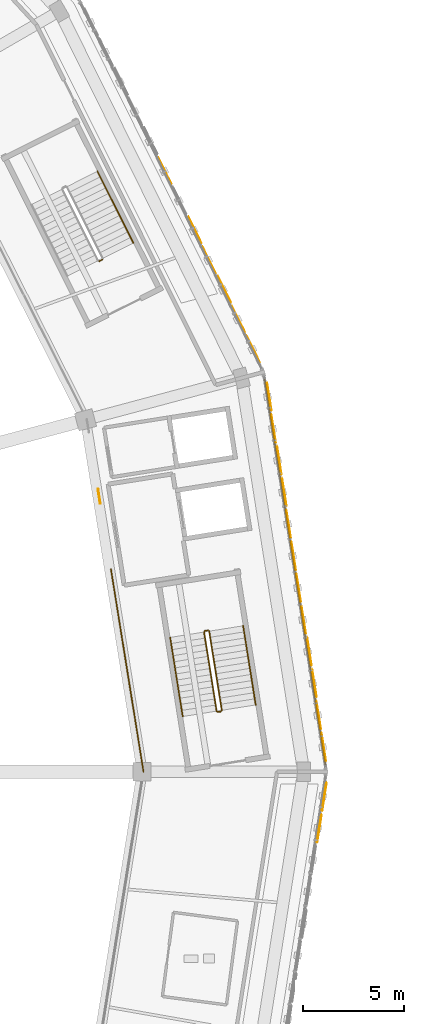
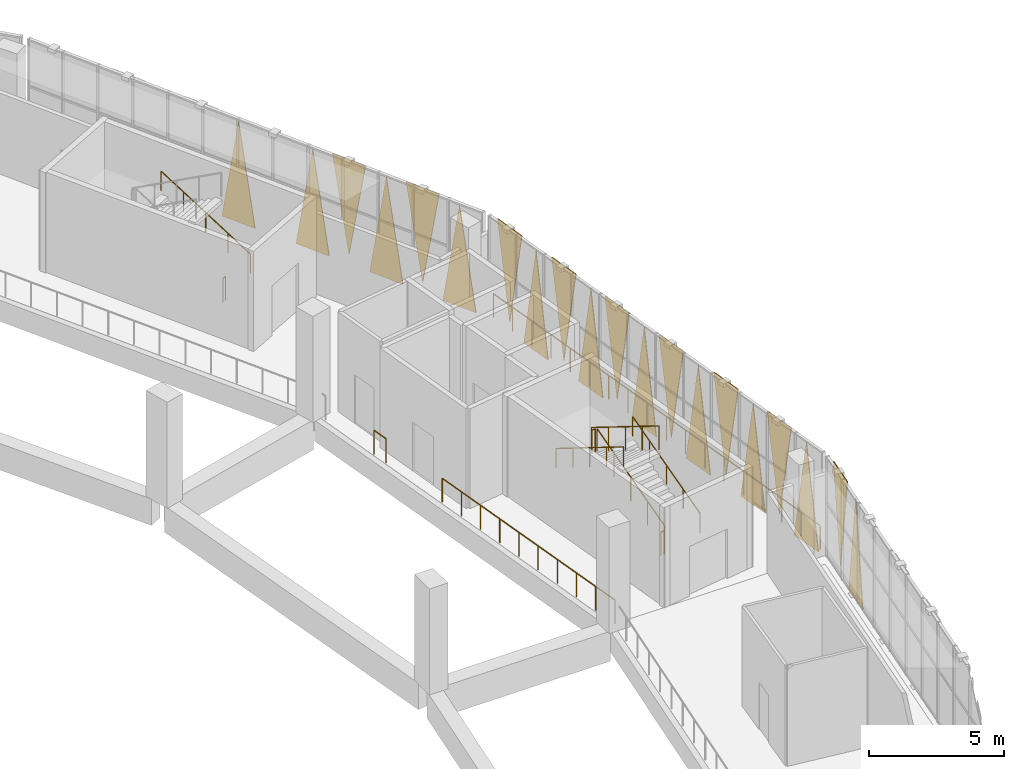
# One storey, part 96 of 108: 20 coverings, 11 railings.
"""IFC4 building model written with IfcOpenShell, lengths in metres."""

from ifc_helpers import new_model, si_unit, direction, frame, origin, origin_2d, place, context, subcontext, project, spatial, polyline, circle, outline, extrude, material, layer, layer_set, type_object, element, save


model = new_model("IFC4")

# Units and contexts
model_context = context("Model", 3, precision=1e-05, world=origin(), true_north=direction((0.0, 1.0)))
body_context = subcontext(model_context, "Body", "Model", "MODEL_VIEW")
ifc_project = project(units=[si_unit("LENGTHUNIT", "METRE"), si_unit("AREAUNIT", "SQUARE_METRE"), si_unit("VOLUMEUNIT", "CUBIC_METRE"), si_unit("PLANEANGLEUNIT", "RADIAN"), si_unit("MASSUNIT", "GRAM", prefix="KILO")], contexts=[model_context])

# Site, building, storey
site_placement = place(None, origin())
site = spatial("IfcSite", under=ifc_project, at=site_placement, CompositionType="ELEMENT")
building_placement = place(site_placement, origin())
building = spatial("IfcBuilding", under=site, at=building_placement, Name="Zevraka Park Crest Stadium", CompositionType="ELEMENT")
storey_placement = place(building_placement, frame((0.0, 0.0, 19.800048828125)))
storey = spatial("IfcBuildingStorey", under=building, at=storey_placement, Name="L04", CompositionType="ELEMENT", Elevation=19.800048828125)

# Coverings
ifc_material_1 = material(Name="Architectural golden-bronze perforated aluminium", Category="aluminium")
ifc_layer = layer(ifc_material_1, 0.034912109375)
ifc_layer_set = layer_set([ifc_layer], Name="Architectural golden-bronze perforated aluminium")
covering_type = type_object("IfcCoveringType", Name="CLD01", PredefinedType="CLADDING", material=ifc_layer_set)
covering_1_placement = place(storey_placement, frame((203.41796875, 92.52392578125, -0.219970703125), z_axis=(0.987747781169, 0.156058703538, 4.2965579e-05), x_axis=(-0.156058703682, 0.987747782081, 0.0)))
element("IfcCovering", 1, at=covering_1_placement, inside=storey, type_object=covering_type, Name="Triangular Golden-Bronze Perforated Cladding L04-00-1", PredefinedType="CLADDING", context=body_context, shape_type="SweptSolid", body=[
    extrude(outline(polyline([(0.0, 0.0), (1.4345688375175898, 0.0), (0.7168211701718025, 4.579833988602281), (0.0, 0.0)])), origin(), (0.0, 0.0, -1.0), 0.034912109375),
])
covering_2_placement = place(storey_placement, frame((202.946044921875, 95.51708984375, 4.52001953125), z_axis=(0.987868916505, 0.155290000132, 0.000140218719), x_axis=(0.155290001659, -0.987868926217, 0.0)))
element("IfcCovering", 2, at=covering_2_placement, inside=storey, type_object=covering_type, Name="Triangular Golden-Bronze Perforated Cladding L04-00-2", PredefinedType="CLADDING", context=body_context, shape_type="SweptSolid", body=[
    extrude(outline(polyline([(0.0, 0.0), (1.4353814685014366, 0.0), (0.7177855157458715, 4.300048870397252), (0.0, 0.0)])), origin(), (0.0, 0.0, -1.0), 0.034912109375),
])
covering_3_placement = place(storey_placement, frame((202.9208984375, 95.675048828125, -0.219970703125), z_axis=(-0.987868917656, -0.155290000313, 0.000131652662), x_axis=(-0.155290001659, 0.987868926217, 0.0)))
element("IfcCovering", 3, at=covering_3_placement, inside=storey, type_object=covering_type, Name="Triangular Golden-Bronze Perforated Cladding L04-00-3", PredefinedType="CLADDING", context=body_context, shape_type="SweptSolid", body=[
    extrude(outline(polyline([(0.0, 0.0), (1.4353814685014366, -3.3881317890172014e-21), (0.717595952755565, -4.579834024064811), (0.0, 0.0)])), origin(), (0.0, 0.0, -1.0), 0.034912109375),
])
covering_4_placement = place(storey_placement, frame((202.449951171875, 98.6689453125, 4.52001953125), z_axis=(-0.987842814257, -0.155455980067, 0.000112172011), x_axis=(0.155455981045, -0.987842820472, 0.0)))
element("IfcCovering", 4, at=covering_4_placement, inside=storey, type_object=covering_type, Name="Triangular Golden-Bronze Perforated Cladding L04-00-4", PredefinedType="CLADDING", context=body_context, shape_type="SweptSolid", body=[
    extrude(outline(polyline([(0.0, 0.0), (1.435419401360921, -3.3881317890172014e-21), (0.7176337944397156, -4.3000488551778115), (0.0, 0.0)])), origin(), (0.0, 0.0, -1.0), 0.034912109375),
])
covering_5_placement = place(storey_placement, frame((202.425048828125, 98.826904296875, -0.219970703125), z_axis=(0.987846923842, 0.155429865449, 0.000109462593), x_axis=(-0.15542986638, 0.98784692976, 0.0)))
element("IfcCovering", 5, at=covering_5_placement, inside=storey, type_object=covering_type, Name="Triangular Golden-Bronze Perforated Cladding L04-00-5", PredefinedType="CLADDING", context=body_context, shape_type="SweptSolid", body=[
    extrude(outline(polyline([(0.0, 0.0), (1.435660574426177, 3.3881317890172014e-21), (0.7177855939191139, 4.579834011812922), (0.0, 0.0)])), origin(), (0.0, 0.0, -1.0), 0.034912109375),
])
covering_6_placement = place(storey_placement, frame((201.952880859375, 101.821044921875, 4.52001953125), z_axis=(0.987738132508, 0.156119766812, 0.0), x_axis=(0.156119766812, -0.987738132508, 0.0)))
element("IfcCovering", 6, at=covering_6_placement, inside=storey, type_object=covering_type, Name="Triangular Golden-Bronze Perforated Cladding L04-00-6", PredefinedType="CLADDING", context=body_context, shape_type="SweptSolid", body=[
    extrude(outline(polyline([(0.0, 0.0), (1.4355715379737295, 0.0), (0.7177857689868647, 4.300048828125), (0.0, 0.0)])), origin(), (0.0, 0.0, -1.0), 0.034912109375),
])
covering_7_placement = place(storey_placement, frame((201.928955078125, 101.97900390625, -0.219970703125), z_axis=(0.987764343891, 0.155953840108, 2.6327745e-05), x_axis=(-0.155953840162, 0.987764344233, 0.0)))
element("IfcCovering", 7, at=covering_7_placement, inside=storey, type_object=covering_type, Name="Triangular Golden-Bronze Perforated Cladding L04-00-7", PredefinedType="CLADDING", context=body_context, shape_type="SweptSolid", body=[
    extrude(outline(polyline([(0.0, 0.0), (1.4355334430507345, 0.0), (0.7177857588593715, 4.579833985962257), (0.0, 0.0)])), origin(), (0.0, 0.0, -1.0), 0.034912109375),
])
covering_8_placement = place(storey_placement, frame((201.45703125, 104.972900390625, 4.52001953125), z_axis=(0.987868916505, 0.155290000132, 0.000140218719), x_axis=(0.155290001659, -0.987868926217, 0.0)))
element("IfcCovering", 8, at=covering_8_placement, inside=storey, type_object=covering_type, Name="Triangular Golden-Bronze Perforated Cladding L04-00-8", PredefinedType="CLADDING", context=body_context, shape_type="SweptSolid", body=[
    extrude(outline(polyline([(0.0, 0.0), (1.4353814685014366, 0.0), (0.7177855157458715, 4.300048870397252), (0.0, 0.0)])), origin(), (0.0, 0.0, -1.0), 0.034912109375),
])
covering_9_placement = place(storey_placement, frame((201.431884765625, 105.131103515625, -0.219970703125), z_axis=(-0.987868917656, -0.155290000313, 0.000131652662), x_axis=(-0.155290001659, 0.987868926217, 0.0)))
element("IfcCovering", 9, at=covering_9_placement, inside=storey, type_object=covering_type, Name="Triangular Golden-Bronze Perforated Cladding L04-00-9", PredefinedType="CLADDING", context=body_context, shape_type="SweptSolid", body=[
    extrude(outline(polyline([(0.0, 0.0), (1.4353814685014366, -3.3881317890172014e-21), (0.717595952755565, -4.579834024064811), (0.0, 0.0)])), origin(), (0.0, 0.0, -1.0), 0.034912109375),
])
covering_10_placement = place(storey_placement, frame((200.9609375, 108.125, 4.52001953125), z_axis=(-0.987842814257, -0.155455980067, 0.000112172011), x_axis=(0.155455981045, -0.987842820472, 0.0)))
element("IfcCovering", 10, at=covering_10_placement, inside=storey, type_object=covering_type, Name="Triangular Golden-Bronze Perforated Cladding L04-00-10", PredefinedType="CLADDING", context=body_context, shape_type="SweptSolid", body=[
    extrude(outline(polyline([(0.0, 0.0), (1.435419401360921, -3.3881317890172014e-21), (0.7176337944397156, -4.3000488551778115), (0.0, 0.0)])), origin(), (0.0, 0.0, -1.0), 0.034912109375),
])
covering_11_placement = place(storey_placement, frame((200.93603515625, 108.282958984375, -0.219970703125), z_axis=(0.987842814993, 0.155455980183, 0.000105319347), x_axis=(-0.155455981045, 0.987842820472, 0.0)))
element("IfcCovering", 11, at=covering_11_placement, inside=storey, type_object=covering_type, Name="Triangular Golden-Bronze Perforated Cladding L04-00-11", PredefinedType="CLADDING", context=body_context, shape_type="SweptSolid", body=[
    extrude(outline(polyline([(0.0, 0.0), (1.435419401360921, 0.0), (0.7177856069212052, 4.579834009775138), (0.0, 0.0)])), origin(), (0.0, 0.0, -1.0), 0.034912109375),
])
covering_12_placement = place(storey_placement, frame((200.464111328125, 111.27587890625, 4.52001953125), z_axis=(-0.98774778208, -0.156058703681, 1.459023e-06), x_axis=(0.156058703682, -0.987747782081, 0.0)))
element("IfcCovering", 12, at=covering_12_placement, inside=storey, type_object=covering_type, Name="Triangular Golden-Bronze Perforated Cladding L04-00-12", PredefinedType="CLADDING", context=body_context, shape_type="SweptSolid", body=[
    extrude(outline(polyline([(0.0, 0.0), (1.4345688375175898, 0.0), (0.7165419205414895, -4.300048828129577), (0.0, 0.0)])), origin(), (0.0, 0.0, -1.0), 0.034912109375),
])
covering_13_placement = place(storey_placement, frame((200.14697265625, 112.27490234375, -0.219970703125), z_axis=(0.895938354409, 0.44417841522, 2.3476073e-05), x_axis=(-0.444178415342, 0.895938354656, 0.0)))
element("IfcCovering", 13, at=covering_13_placement, inside=storey, type_object=covering_type, Name="Triangular Golden-Bronze Perforated Cladding L04-01-1", PredefinedType="CLADDING", context=body_context, shape_type="SweptSolid", body=[
    extrude(outline(polyline([(0.0, 0.0), (1.4812943665181721, 0.0), (0.740155492361385, 4.579833985637032), (0.0, 0.0)])), origin(), (0.0, 0.0, -1.0), 0.034912109375),
])
covering_14_placement = place(storey_placement, frame((198.760986328125, 115.072021484375, 4.52001953125), z_axis=(0.896168164395, 0.443714541009, 0.000164991326), x_axis=(0.443714547049, -0.896168176593, 0.0)))
element("IfcCovering", 14, at=covering_14_placement, inside=storey, type_object=covering_type, Name="Triangular Golden-Bronze Perforated Cladding L04-01-2", PredefinedType="CLADDING", context=body_context, shape_type="SweptSolid", body=[
    extrude(outline(polyline([(0.0, 0.0), (1.480642061984624, -1.3552527156068805e-20), (0.7402636662712996, 4.300048886653262), (0.0, 0.0)])), origin(), (0.0, 0.0, -1.0), 0.034912109375),
])
covering_15_placement = place(storey_placement, frame((198.68994140625, 115.216064453125, -0.219970703125), z_axis=(-0.895775588199, -0.444506575252, 1.2028067e-05), x_axis=(-0.444506575285, 0.895775588264, 0.0)))
element("IfcCovering", 15, at=covering_15_placement, inside=storey, type_object=covering_type, Name="Triangular Golden-Bronze Perforated Cladding L04-01-3", PredefinedType="CLADDING", context=body_context, shape_type="SweptSolid", body=[
    extrude(outline(polyline([(0.0, 0.0), (1.4802007910768735, 0.0), (0.7399367868758943, -4.579833984706293), (0.0, 0.0)])), origin(), (0.0, 0.0, -1.0), 0.034912109375),
])
covering_16_placement = place(storey_placement, frame((197.303955078125, 118.012939453125, 4.52001953125), z_axis=(0.89616817301, 0.443714545275, 8.941399e-05), x_axis=(0.443714547049, -0.896168176593, 0.0)))
element("IfcCovering", 16, at=covering_16_placement, inside=storey, type_object=covering_type, Name="Triangular Golden-Bronze Perforated Cladding L04-01-4", PredefinedType="CLADDING", context=body_context, shape_type="SweptSolid", body=[
    extrude(outline(polyline([(0.0, 0.0), (1.480642061984624, 0.0), (0.7409200394475148, 4.300048845314149), (0.0, 0.0)])), origin(), (0.0, 0.0, -1.0), 0.034912109375),
])
covering_17_placement = place(storey_placement, frame((197.23291015625, 118.156005859375, -0.219970703125), z_axis=(-0.895905827127, -0.444244011796, 8.3083477e-05), x_axis=(-0.444244013329, 0.89590583022, 0.0)))
element("IfcCovering", 17, at=covering_17_placement, inside=storey, type_object=covering_type, Name="Triangular Golden-Bronze Perforated Cladding L04-01-5", PredefinedType="CLADDING", context=body_context, shape_type="SweptSolid", body=[
    extrude(outline(polyline([(0.0, 0.0), (1.4810756355382801, 0.0), (0.7410304062869342, -4.579834000181987), (0.0, 0.0)])), origin(), (0.0, 0.0, -1.0), 0.034912109375),
])
covering_18_placement = place(storey_placement, frame((195.77587890625, 121.096923828125, -0.219970703125), z_axis=(0.896200626704, 0.443648985736, 0.000118961507), x_axis=(-0.443648988875, 0.896200633045, 0.0)))
element("IfcCovering", 18, at=covering_18_placement, inside=storey, type_object=covering_type, Name="Triangular Golden-Bronze Perforated Cladding L04-01-7", PredefinedType="CLADDING", context=body_context, shape_type="SweptSolid", body=[
    extrude(outline(polyline([(0.0, 0.0), (1.4808608570056243, 0.0), (0.7401552996495949, 4.579834016781541), (0.0, 0.0)])), origin(), (0.0, 0.0, -1.0), 0.034912109375),
])
covering_19_placement = place(storey_placement, frame((202.946044921875, 88.48291015625, -0.219970703125), z_axis=(-0.987868917656, 0.155290000313, 0.000131652662), x_axis=(0.155290001659, 0.987868926217, 0.0)))
element("IfcCovering", 19, at=covering_19_placement, inside=storey, type_object=covering_type, Name="Triangular Golden-Bronze Perforated Cladding L04-23-11", PredefinedType="CLADDING", context=body_context, shape_type="SweptSolid", body=[
    extrude(outline(polyline([(0.0, 0.0), (1.4353814685014366, 3.3881317890172014e-21), (0.7177855157458715, -4.579834024064811), (0.0, 0.0)])), origin(), (0.0, 0.0, -1.0), 0.034912109375),
])
covering_20_placement = place(storey_placement, frame((203.41796875, 91.47607421875, 4.52001953125), z_axis=(-0.987747781046, 0.156058703518, 4.5761159e-05), x_axis=(-0.156058703682, -0.987747782081, 0.0)))
element("IfcCovering", 20, at=covering_20_placement, inside=storey, type_object=covering_type, Name="Triangular Golden-Bronze Perforated Cladding L04-23-12", PredefinedType="CLADDING", context=body_context, shape_type="SweptSolid", body=[
    extrude(outline(polyline([(0.0, 0.0), (1.4345688375175898, 0.0), (0.7168211701718025, -4.300048832627331), (0.0, 0.0)])), origin(), (0.0, 0.0, -1.0), 0.034912109375),
])

# Railings
ifc_material_2 = material(Name="Galvanised and bronze-finished steel balustrade", Category="steel")
railing_type_1 = type_object("IfcRailingType", Name="GR01", PredefinedType="GUARDRAIL", material=ifc_material_2)
railing_1_placement = place(storey_placement, frame((200.3720703125, 111.4140625, 0.0)))
element("IfcRailing", 21, at=railing_1_placement, inside=storey, type_object=railing_type_1, Name="Deck Edge Protection Guardrail GR01 L04-12", PredefinedType="GUARDRAIL", context=body_context, shape_type="SweptSolid", body=[
    extrude(circle(Radius=0.02392578125, at=origin_2d()), frame((0.0, 0.0, 1.076171875), z_axis=(0.155531632398, -0.987830912314, 0.0), x_axis=(0.987830912314, 0.155531632398, 0.0)), (0.0, 0.0, 1.0), 19.28857421875),
    extrude(circle(Radius=0.02099609375, at=origin_2d()), origin(), (0.0, 0.0, 1.0), 1.052001953125),
    extrude(circle(Radius=0.02099609375, at=origin_2d()), frame((0.176513671875, -1.120849609375, 0.0)), (0.0, 0.0, 1.0), 1.052001953125),
    extrude(circle(Radius=0.02099609375, at=origin_2d()), frame((0.35302734375, -2.24169921875, 0.0)), (0.0, 0.0, 1.0), 1.052001953125),
    extrude(circle(Radius=0.02099609375, at=origin_2d()), frame((0.529296875, -3.362548828125, 0.0)), (0.0, 0.0, 1.0), 1.052001953125),
    extrude(circle(Radius=0.02099609375, at=origin_2d()), frame((0.705810546875, -4.4833984375, 0.0)), (0.0, 0.0, 1.0), 1.052001953125),
    extrude(circle(Radius=0.02099609375, at=origin_2d()), frame((0.88232421875, -5.60400390625, 0.0)), (0.0, 0.0, 1.0), 1.052001953125),
    extrude(circle(Radius=0.02099609375, at=origin_2d()), frame((1.058837890625, -6.724853515625, 0.0)), (0.0, 0.0, 1.0), 1.052001953125),
    extrude(circle(Radius=0.02099609375, at=origin_2d()), frame((1.2353515625, -7.845703125, 0.0)), (0.0, 0.0, 1.0), 1.052001953125),
    extrude(circle(Radius=0.02099609375, at=origin_2d()), frame((1.411865234375, -8.966552734375, 0.0)), (0.0, 0.0, 1.0), 1.052001953125),
    extrude(circle(Radius=0.02099609375, at=origin_2d()), frame((1.588134765625, -10.08740234375, 0.0)), (0.0, 0.0, 1.0), 1.052001953125),
    extrude(circle(Radius=0.02099609375, at=origin_2d()), frame((1.7646484375, -11.208251953125, 0.0)), (0.0, 0.0, 1.0), 1.052001953125),
    extrude(circle(Radius=0.02099609375, at=origin_2d()), frame((1.941162109375, -12.3291015625, 0.0)), (0.0, 0.0, 1.0), 1.052001953125),
    extrude(circle(Radius=0.02099609375, at=origin_2d()), frame((2.11767578125, -13.449951171875, 0.0)), (0.0, 0.0, 1.0), 1.052001953125),
    extrude(circle(Radius=0.02099609375, at=origin_2d()), frame((2.294189453125, -14.570556640625, 0.0)), (0.0, 0.0, 1.0), 1.052001953125),
    extrude(circle(Radius=0.02099609375, at=origin_2d()), frame((2.470703125, -15.69140625, 0.0)), (0.0, 0.0, 1.0), 1.052001953125),
    extrude(circle(Radius=0.02099609375, at=origin_2d()), frame((2.64697265625, -16.812255859375, 0.0)), (0.0, 0.0, 1.0), 1.052001953125),
    extrude(circle(Radius=0.02099609375, at=origin_2d()), frame((2.823486328125, -17.93310546875, 0.0)), (0.0, 0.0, 1.0), 1.052001953125),
    extrude(circle(Radius=0.02099609375, at=origin_2d()), frame((3.0, -19.053955078125, 0.0)), (0.0, 0.0, 1.0), 1.052001953125),
])
railing_2_placement = place(storey_placement, frame((194.368896484375, 91.9970703125, 0.0)))
element("IfcRailing", 22, at=railing_2_placement, inside=storey, type_object=railing_type_1, Name="Deck Edge Protection Guardrail GR01 L04-35", PredefinedType="GUARDRAIL", context=body_context, shape_type="SweptSolid", body=[
    extrude(circle(Radius=0.02392578125, at=origin_2d()), frame((0.0, 0.0, 1.076171875), z_axis=(-0.158648795863, 0.987335079682, 0.0), x_axis=(-0.987335079682, -0.158648795863, 0.0)), (0.0, 0.0, 1.0), 10.153564453125),
    extrude(circle(Radius=0.02099609375, at=origin_2d()), origin(), (0.0, 0.0, 1.0), 1.052001953125),
    extrude(circle(Radius=0.02099609375, at=origin_2d()), frame((-0.178955078125, 1.11376953125, 0.0)), (0.0, 0.0, 1.0), 1.052001953125),
    extrude(circle(Radius=0.02099609375, at=origin_2d()), frame((-0.35791015625, 2.227783203125, 0.0)), (0.0, 0.0, 1.0), 1.052001953125),
    extrude(circle(Radius=0.02099609375, at=origin_2d()), frame((-0.536865234375, 3.341552734375, 0.0)), (0.0, 0.0, 1.0), 1.052001953125),
    extrude(circle(Radius=0.02099609375, at=origin_2d()), frame((-0.7158203125, 4.45556640625, 0.0)), (0.0, 0.0, 1.0), 1.052001953125),
    extrude(circle(Radius=0.02099609375, at=origin_2d()), frame((-0.89501953125, 5.5693359375, 0.0)), (0.0, 0.0, 1.0), 1.052001953125),
    extrude(circle(Radius=0.02099609375, at=origin_2d()), frame((-1.073974609375, 6.683349609375, 0.0)), (0.0, 0.0, 1.0), 1.052001953125),
    extrude(circle(Radius=0.02099609375, at=origin_2d()), frame((-1.2529296875, 7.797119140625, 0.0)), (0.0, 0.0, 1.0), 1.052001953125),
    extrude(circle(Radius=0.02099609375, at=origin_2d()), frame((-1.431884765625, 8.9111328125, 0.0)), (0.0, 0.0, 1.0), 1.052001953125),
    extrude(circle(Radius=0.02099609375, at=origin_2d()), frame((-1.61083984375, 10.02490234375, 0.0)), (0.0, 0.0, 1.0), 1.052001953125),
])
railing_3_placement = place(storey_placement, frame((192.23388671875, 105.27392578125, 0.0)))
element("IfcRailing", 23, at=railing_3_placement, inside=storey, type_object=railing_type_1, Name="Deck Edge Protection Guardrail GR01 L04-36", PredefinedType="GUARDRAIL", context=body_context, shape_type="SweptSolid", body=[
    extrude(circle(Radius=0.02392578125, at=origin_2d()), frame((0.0, 0.0, 1.076171875), z_axis=(-0.158867997908, 0.987299832493, 0.0), x_axis=(-0.987299832493, -0.158867997908, 0.0)), (0.0, 0.0, 1.0), 0.716064453125),
    extrude(circle(Radius=0.02099609375, at=origin_2d()), origin(), (0.0, 0.0, 1.0), 1.052001953125),
    extrude(circle(Radius=0.02099609375, at=origin_2d()), frame((-0.11376953125, 0.70703125, 0.0)), (0.0, 0.0, 1.0), 1.052001953125),
])
ifc_material_3 = material(Name="Powder-coated tubular steel stairwell guard", Category="steel")
railing_type_2 = type_object("IfcRailingType", Name="GR03", PredefinedType="GUARDRAIL", material=ifc_material_3)
railing_4_placement = place(storey_placement, frame((198.24658203125, 95.039794921875, 0.17138671875)))
element("IfcRailing", 24, at=railing_4_placement, inside=storey, type_object=railing_type_2, Name="L04 ST01 stair guard 1", PredefinedType="GUARDRAIL", context=body_context, shape_type="SweptSolid", body=[
    extrude(circle(Radius=0.02392578125, at=origin_2d()), frame((0.0, 0.0, 1.076171875), z_axis=(-0.137093904715, 0.860889602123, 0.489973830165), x_axis=(-0.987556409005, -0.157265186968, 0.0)), (0.0, 0.0, 1.0), 4.54833984375),
    extrude(circle(Radius=0.02099609375, at=origin_2d()), origin(), (0.0, 0.0, 1.0), 1.052001953125),
    extrude(circle(Radius=0.02099609375, at=origin_2d()), frame((-0.15576171875, 0.97900390625, 0.55712890625)), (0.0, 0.0, 1.0), 1.052001953125),
    extrude(circle(Radius=0.02099609375, at=origin_2d()), frame((-0.311767578125, 1.957763671875, 1.1142578125)), (0.0, 0.0, 1.0), 1.052001953125),
    extrude(circle(Radius=0.02099609375, at=origin_2d()), frame((-0.4677734375, 2.9365234375, 1.67138671875)), (0.0, 0.0, 1.0), 1.052001953125),
    extrude(circle(Radius=0.02099609375, at=origin_2d()), frame((-0.62353515625, 3.91552734375, 2.228515625)), (0.0, 0.0, 1.0), 1.052001953125),
])
railing_5_placement = place(storey_placement, frame((197.56591796875, 98.996826171875, 2.39990234375)))
element("IfcRailing", 25, at=railing_5_placement, inside=storey, type_object=railing_type_2, Name="L04 ST01 stair guard 2", PredefinedType="GUARDRAIL", context=body_context, shape_type="SweptSolid", body=[
    extrude(circle(Radius=0.02392578125, at=origin_2d()), frame((0.0, 0.0, 1.076171875), z_axis=(-0.987601795403, -0.15697991501, 0.0), x_axis=(0.15697991501, -0.987601795403, 0.0)), (0.0, 0.0, 1.0), 0.16015625),
    extrude(circle(Radius=0.02099609375, at=origin_2d()), origin(), (0.0, 0.0, 1.0), 1.052001953125),
    extrude(circle(Radius=0.02099609375, at=origin_2d()), frame((-0.158203125, -0.025146484375, 0.0)), (0.0, 0.0, 1.0), 1.052001953125),
])
railing_6_placement = place(storey_placement, frame((197.3662109375, 98.91455078125, 2.5712890625)))
element("IfcRailing", 26, at=railing_6_placement, inside=storey, type_object=railing_type_2, Name="L04 ST01 stair guard 3", PredefinedType="GUARDRAIL", context=body_context, shape_type="SweptSolid", body=[
    extrude(circle(Radius=0.02392578125, at=origin_2d()), frame((0.0, 0.0, 1.076171875), z_axis=(0.137083964475, -0.860880855998, 0.489991977954), x_axis=(0.987557931786, 0.157255624277, 0.0)), (0.0, 0.0, 1.0), 4.548583984375),
    extrude(circle(Radius=0.02099609375, at=origin_2d()), origin(), (0.0, 0.0, 1.0), 1.052001953125),
    extrude(circle(Radius=0.02099609375, at=origin_2d()), frame((0.15576171875, -0.97900390625, 0.55712890625)), (0.0, 0.0, 1.0), 1.052001953125),
    extrude(circle(Radius=0.02099609375, at=origin_2d()), frame((0.311767578125, -1.9580078125, 1.1142578125)), (0.0, 0.0, 1.0), 1.052001953125),
    extrude(circle(Radius=0.02099609375, at=origin_2d()), frame((0.4677734375, -2.936767578125, 1.671630859375)), (0.0, 0.0, 1.0), 1.052001953125),
    extrude(circle(Radius=0.02099609375, at=origin_2d()), frame((0.62353515625, -3.915771484375, 2.228759765625)), (0.0, 0.0, 1.0), 1.052001953125),
])
railing_7_placement = place(storey_placement, frame((198.205078125, 94.982421875, 0.0)))
element("IfcRailing", 27, at=railing_7_placement, inside=storey, type_object=railing_type_2, Name="L04 ST01 stair guard 4", PredefinedType="GUARDRAIL", context=body_context, shape_type="SweptSolid", body=[
    extrude(circle(Radius=0.02392578125, at=origin_2d()), frame((0.0, 0.0, 1.076171875), z_axis=(-0.987564153079, -0.157216549872, 0.0), x_axis=(0.157216549872, -0.987564153079, 0.0)), (0.0, 0.0, 1.0), 0.159912109375),
    extrude(circle(Radius=0.02099609375, at=origin_2d()), origin(), (0.0, 0.0, 1.0), 1.052001953125),
    extrude(circle(Radius=0.02099609375, at=origin_2d()), frame((-0.157958984375, -0.025146484375, 0.0)), (0.0, 0.0, 1.0), 1.052001953125),
])
railing_8_placement = place(storey_placement, frame((192.32421875, 117.34619140625, 0.0)))
element("IfcRailing", 28, at=railing_8_placement, inside=storey, type_object=railing_type_2, Name="L04 ST02 stair guard 4", PredefinedType="GUARDRAIL", context=body_context, shape_type="SweptSolid", body=[
    extrude(circle(Radius=0.02392578125, at=origin_2d()), frame((0.0, 0.0, 1.076171875), z_axis=(-0.894427191, -0.4472135955, 0.0), x_axis=(0.4472135955, -0.894427191, 0.0)), (0.0, 0.0, 1.0), 0.159912109375),
    extrude(circle(Radius=0.02099609375, at=origin_2d()), origin(), (0.0, 0.0, 1.0), 1.052001953125),
    extrude(circle(Radius=0.02099609375, at=origin_2d()), frame((-0.14306640625, -0.071533203125, 0.0)), (0.0, 0.0, 1.0), 1.052001953125),
])
ifc_material_4 = material(Name="Brushed stainless steel continuous handrail", Category="steel")
railing_type_3 = type_object("IfcRailingType", Name="HR01", PredefinedType="HANDRAIL", material=ifc_material_4)
railing_9_placement = place(storey_placement, frame((199.925537109375, 95.30712890625, 0.17138671875)))
element("IfcRailing", 29, at=railing_9_placement, inside=storey, type_object=railing_type_3, Name="L04 ST01 stair handrail 1", PredefinedType="HANDRAIL", context=body_context, shape_type="SweptSolid", body=[
    extrude(circle(Radius=0.02392578125, at=origin_2d()), frame((0.0, 0.0, 0.8759765625), z_axis=(-0.137093904715, 0.860889602123, 0.489973830165), x_axis=(-0.987556409005, -0.157265186968, 0.0)), (0.0, 0.0, 1.0), 4.54833984375),
    extrude(circle(Radius=0.02099609375, at=origin_2d()), origin(), (0.0, 0.0, 1.0), 0.851806640625),
    extrude(circle(Radius=0.02099609375, at=origin_2d()), frame((-0.15576171875, 0.97900390625, 0.55712890625)), (0.0, 0.0, 1.0), 0.851806640625),
    extrude(circle(Radius=0.02099609375, at=origin_2d()), frame((-0.311767578125, 1.957763671875, 1.1142578125)), (0.0, 0.0, 1.0), 0.851806640625),
    extrude(circle(Radius=0.02099609375, at=origin_2d()), frame((-0.4677734375, 2.9365234375, 1.67138671875)), (0.0, 0.0, 1.0), 0.851806640625),
    extrude(circle(Radius=0.02099609375, at=origin_2d()), frame((-0.62353515625, 3.91552734375, 2.228515625)), (0.0, 0.0, 1.0), 0.851806640625),
])
railing_10_placement = place(storey_placement, frame((195.6875, 98.647216796875, 2.5712890625)))
element("IfcRailing", 30, at=railing_10_placement, inside=storey, type_object=railing_type_3, Name="L04 ST01 stair handrail 2", PredefinedType="HANDRAIL", context=body_context, shape_type="SweptSolid", body=[
    extrude(circle(Radius=0.02392578125, at=origin_2d()), frame((0.0, 0.0, 0.8759765625), z_axis=(0.137083964475, -0.860880855998, 0.489991977954), x_axis=(0.987557931786, 0.157255624277, 0.0)), (0.0, 0.0, 1.0), 4.548583984375),
    extrude(circle(Radius=0.02099609375, at=origin_2d()), origin(), (0.0, 0.0, 1.0), 0.851806640625),
    extrude(circle(Radius=0.02099609375, at=origin_2d()), frame((0.15576171875, -0.97900390625, 0.55712890625)), (0.0, 0.0, 1.0), 0.851806640625),
    extrude(circle(Radius=0.02099609375, at=origin_2d()), frame((0.311767578125, -1.9580078125, 1.1142578125)), (0.0, 0.0, 1.0), 0.851806640625),
    extrude(circle(Radius=0.02099609375, at=origin_2d()), frame((0.4677734375, -2.936767578125, 1.671630859375)), (0.0, 0.0, 1.0), 0.851806640625),
    extrude(circle(Radius=0.02099609375, at=origin_2d()), frame((0.62353515625, -3.915771484375, 2.228759765625)), (0.0, 0.0, 1.0), 0.851806640625),
])
railing_11_placement = place(storey_placement, frame((193.866455078125, 118.1748046875, 0.17138671875)))
element("IfcRailing", 31, at=railing_11_placement, inside=storey, type_object=railing_type_3, Name="L04 ST02 stair handrail 1", PredefinedType="HANDRAIL", context=body_context, shape_type="SweptSolid", body=[
    extrude(circle(Radius=0.02392578125, at=origin_2d()), frame((0.0, 0.0, 0.8759765625), z_axis=(-0.39045397791, 0.779404971028, 0.489973042393), x_axis=(-0.894082100069, -0.447903112666, 0.0)), (0.0, 0.0, 1.0), 4.54833984375),
    extrude(circle(Radius=0.02099609375, at=origin_2d()), origin(), (0.0, 0.0, 1.0), 0.851806640625),
    extrude(circle(Radius=0.02099609375, at=origin_2d()), frame((-0.44384765625, 0.88623046875, 0.55712890625)), (0.0, 0.0, 1.0), 0.851806640625),
    extrude(circle(Radius=0.02099609375, at=origin_2d()), frame((-0.887939453125, 1.7724609375, 1.1142578125)), (0.0, 0.0, 1.0), 0.851806640625),
    extrude(circle(Radius=0.02099609375, at=origin_2d()), frame((-1.33203125, 2.65869140625, 1.67138671875)), (0.0, 0.0, 1.0), 0.851806640625),
    extrude(circle(Radius=0.02099609375, at=origin_2d()), frame((-1.77587890625, 3.544921875, 2.228515625)), (0.0, 0.0, 1.0), 0.851806640625),
])

save(model, "model.ifc")
